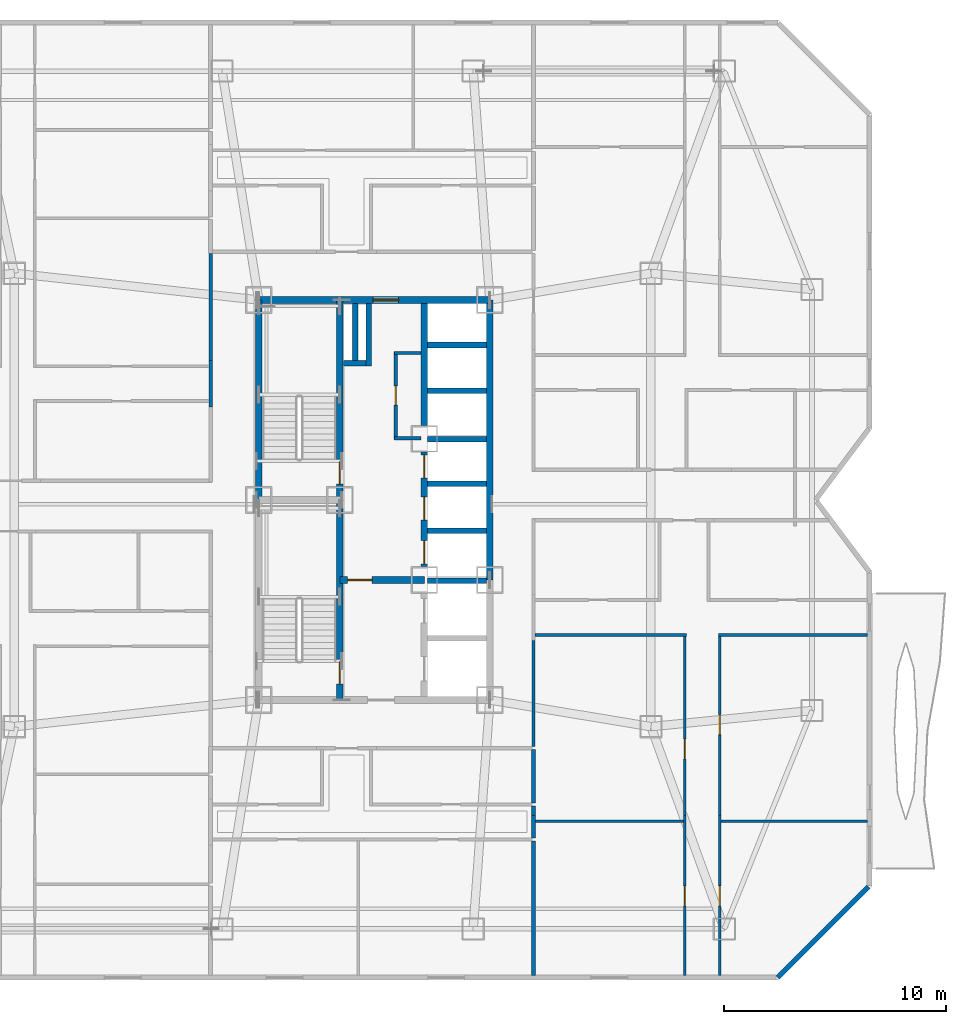
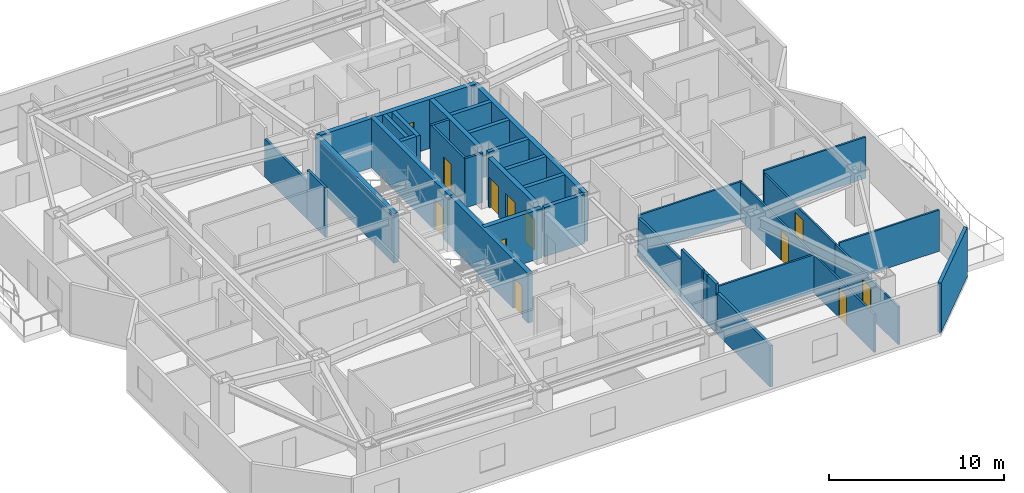
# One storey, part 9 of 15: 36 walls, 12 doors, 12 openings.
"""IFC4 building model written with IfcOpenShell, lengths in metres."""

from ifc_helpers import new_model, si_unit, direction, frame, frame_2d, origin, place, context, subcontext, project, spatial, rectangle, extrude, material, layer, layer_set, type_object, element, fill, save


model = new_model("IFC4")

# Units and contexts
model_context = context("Model", 3, precision=1e-05, world=origin(), true_north=direction((0.0, 1.0)))
body_context = subcontext(model_context, "Body", "Model", "MODEL_VIEW")
ifc_project = project(units=[si_unit("LENGTHUNIT", "METRE"), si_unit("AREAUNIT", "SQUARE_METRE"), si_unit("VOLUMEUNIT", "CUBIC_METRE"), si_unit("PLANEANGLEUNIT", "RADIAN"), si_unit("MASSUNIT", "GRAM", prefix="KILO")], contexts=[model_context])

# Site, building, storey
site_placement = place(None, origin())
site = spatial("IfcSite", under=ifc_project, at=site_placement, CompositionType="ELEMENT")
building_placement = place(site_placement, origin())
building = spatial("IfcBuilding", under=site, at=building_placement, Name="Khamvora Tower", CompositionType="ELEMENT")
storey_placement = place(building_placement, frame((0.0, 0.0, 101.89990234375)))
storey = spatial("IfcBuildingStorey", under=building, at=storey_placement, Name="L25", CompositionType="ELEMENT", Elevation=101.89990234375)

# Wall
ifc_material_1 = material(Name="Concrete C50/60", Category="concrete")
ifc_layer_1 = layer(ifc_material_1, 0.300048828125)
ifc_layer_set_1 = layer_set([ifc_layer_1], Name="Concrete C50/60")
wall_type_1 = type_object("IfcWallType", Name="WAL-CORE-300", PredefinedType="SHEAR", material=ifc_layer_set_1)
wall_1_placement = place(storey_placement, frame((29.0, 28.0, 0.0), z_axis=(0.0, 0.0, 1.0), x_axis=(0.0, 1.0, 0.0)))
element("IfcWall", 1, at=wall_1_placement, inside=storey, type_object=wall_type_1, Name="L25 central core west north wall", PredefinedType="SHEAR", context=body_context, shape_type="SweptSolid", body=[
    extrude(rectangle(XDim=9.0, YDim=0.300048828125, at=frame_2d((4.5, 0.0))), origin(), (0.0, 0.0, 1.0), 3.43017578125),
])

# Wall, opening, door
wall_2_placement = place(storey_placement, frame((29.0, 37.0, 0.0), z_axis=(0.0, 0.0, 1.0), x_axis=(1.0, 0.0, 0.0)))
wall_2 = element("IfcWall", 2, at=wall_2_placement, inside=storey, type_object=wall_type_1, Name="L25 central core north wall", PredefinedType="SHEAR", context=body_context, shape_type="SweptSolid", body=[
    extrude(rectangle(XDim=10.39990234375, YDim=0.300048828125, at=frame_2d((5.199951171875, 0.0))), origin(), (0.0, 0.0, 1.0), 3.43017578125),
])
opening_1_placement = place(wall_2_placement, frame((5.139892578125, 0.0, 0.0)))
opening_1 = element("IfcOpeningElement", 3, at=opening_1_placement, cuts=wall_2, Name="Opening D-SC1", PredefinedType="OPENING", context=body_context, shape_type="SweptSolid", body=[
    extrude(rectangle(XDim=1.14990234375, YDim=2.199951171875, at=frame_2d((0.574951171875, 1.10009765625))), frame((0.0, 0.159912109375, 0.0), z_axis=(0.0, -1.0, 0.0), x_axis=(1.0, 0.0, 0.0)), (0.0, 0.0, 1.0), 0.320068359375),
])
ifc_material_2 = material(Name="Powder-Coated Steel and Hardwood Leaf", Category="steel")
door_type_1 = type_object("IfcDoorType", Name="DOR-SCHL-1150", OperationType="NOTDEFINED", PredefinedType="DOOR", material=ifc_material_2)
door_1_placement = place(opening_1_placement, origin())
door_1 = element("IfcDoor", 4, at=door_1_placement, inside=storey, type_object=door_type_1, Name="L25 north core lobby to corridor fire door", OperationType="SINGLE_SWING_LEFT", OverallHeight=2.199951171875, OverallWidth=1.14990234375, PredefinedType="DOOR", context=body_context, shape_type="SweptSolid", body=[
    extrude(rectangle(XDim=1.14990234375, YDim=2.199951171875, at=frame_2d((0.574951171875, 1.10009765625))), frame((0.0, 0.02490234375, 0.0), z_axis=(0.0, -1.0, 0.0), x_axis=(1.0, 0.0, 0.0)), (0.0, 0.0, 1.0), 0.050048828125),
])
fill(opening_1, door_1)

# Wall
wall_3_placement = place(storey_placement, frame((39.39990234375, 24.39990234375, 0.0), z_axis=(0.0, 0.0, 1.0), x_axis=(0.0, 1.0, 0.0)))
element("IfcWall", 5, at=wall_3_placement, inside=storey, type_object=wall_type_1, Name="L25 central core east north wall", PredefinedType="SHEAR", context=body_context, shape_type="SweptSolid", body=[
    extrude(rectangle(XDim=12.60009765625, YDim=0.300048828125, at=frame_2d((6.300048828125, 0.0))), origin(), (0.0, 0.0, 1.0), 3.43017578125),
])

# Wall, opening, door
wall_4_placement = place(storey_placement, frame((32.64990234375, 19.0, 0.0), z_axis=(0.0, 0.0, 1.0), x_axis=(0.0, 1.0, 0.0)))
wall_4 = element("IfcWall", 6, at=wall_4_placement, inside=storey, type_object=wall_type_1, Name="L25 central core stair south spine wall", PredefinedType="SHEAR", context=body_context, shape_type="SweptSolid", body=[
    extrude(rectangle(XDim=9.0, YDim=0.300048828125, at=frame_2d((4.5, 0.0))), origin(), (0.0, 0.0, 1.0), 3.43017578125),
])
opening_2_placement = place(wall_4_placement, frame((0.719970703125, 0.0, 0.0)))
opening_2 = element("IfcOpeningElement", 7, at=opening_2_placement, cuts=wall_4, Name="Opening D-ST1", PredefinedType="OPENING", context=body_context, shape_type="SweptSolid", body=[
    extrude(rectangle(XDim=1.0, YDim=2.14990234375, at=frame_2d((0.5, 1.074951171875))), frame((0.0, 0.159912109375, 0.0), z_axis=(0.0, -1.0, 0.0), x_axis=(1.0, 0.0, 0.0)), (0.0, 0.0, 1.0), 0.320068359375),
])
door_type_2 = type_object("IfcDoorType", Name="DOR-STAIR-1000", OperationType="NOTDEFINED", PredefinedType="DOOR", material=ifc_material_2)
door_2_placement = place(opening_2_placement, origin())
door_2 = element("IfcDoor", 8, at=door_2_placement, inside=storey, type_object=door_type_2, Name="L25 exit stair ST-01 fire door", OperationType="SINGLE_SWING_RIGHT", OverallHeight=2.14990234375, OverallWidth=1.0, PredefinedType="DOOR", context=body_context, shape_type="SweptSolid", body=[
    extrude(rectangle(XDim=1.0, YDim=2.14990234375, at=frame_2d((0.5, 1.074951171875))), frame((0.0, 0.02490234375, 0.0), z_axis=(0.0, -1.0, 0.0), x_axis=(1.0, 0.0, 0.0)), (0.0, 0.0, 1.0), 0.050048828125),
])
fill(opening_2, door_2)

wall_5_placement = place(storey_placement, frame((32.64990234375, 28.0, 0.0), z_axis=(0.0, 0.0, 1.0), x_axis=(0.0, 1.0, 0.0)))
wall_5 = element("IfcWall", 9, at=wall_5_placement, inside=storey, type_object=wall_type_1, Name="L25 central core stair north spine wall", PredefinedType="SHEAR", context=body_context, shape_type="SweptSolid", body=[
    extrude(rectangle(XDim=9.0, YDim=0.300048828125, at=frame_2d((4.5, 0.0))), origin(), (0.0, 0.0, 1.0), 3.43017578125),
])
opening_3_placement = place(wall_5_placement, frame((0.719970703125, 0.0, 0.0)))
opening_3 = element("IfcOpeningElement", 10, at=opening_3_placement, cuts=wall_5, Name="Opening D-ST1", PredefinedType="OPENING", context=body_context, shape_type="SweptSolid", body=[
    extrude(rectangle(XDim=1.0, YDim=2.14990234375, at=frame_2d((0.5, 1.074951171875))), frame((0.0, 0.159912109375, 0.0), z_axis=(0.0, -1.0, 0.0), x_axis=(1.0, 0.0, 0.0)), (0.0, 0.0, 1.0), 0.320068359375),
])
door_3_placement = place(opening_3_placement, origin())
door_3 = element("IfcDoor", 11, at=door_3_placement, inside=storey, type_object=door_type_2, Name="L25 exit stair ST-02 fire door", OperationType="SINGLE_SWING_RIGHT", OverallHeight=2.14990234375, OverallWidth=1.0, PredefinedType="DOOR", context=body_context, shape_type="SweptSolid", body=[
    extrude(rectangle(XDim=1.0, YDim=2.14990234375, at=frame_2d((0.5, 1.074951171875))), frame((0.0, 0.02490234375, 0.0), z_axis=(0.0, -1.0, 0.0), x_axis=(1.0, 0.0, 0.0)), (0.0, 0.0, 1.0), 0.050048828125),
])
fill(opening_3, door_3)

wall_6_placement = place(storey_placement, frame((32.64990234375, 24.39990234375, 0.0), z_axis=(0.0, 0.0, 1.0), x_axis=(1.0, 0.0, 0.0)))
wall_6 = element("IfcWall", 12, at=wall_6_placement, inside=storey, type_object=wall_type_1, Name="L25 central core firefighting lobby north wall", PredefinedType="SHEAR", context=body_context, shape_type="SweptSolid", body=[
    extrude(rectangle(XDim=3.800048828125, YDim=0.300048828125, at=frame_2d((1.89990234375, 0.0))), origin(), (0.0, 0.0, 1.0), 3.43017578125),
])
opening_4_placement = place(wall_6_placement, frame((0.35009765625, 0.0, 0.0)))
opening_4 = element("IfcOpeningElement", 13, at=opening_4_placement, cuts=wall_6, Name="Opening D-FF1", PredefinedType="OPENING", context=body_context, shape_type="SweptSolid", body=[
    extrude(rectangle(XDim=1.10009765625, YDim=2.14990234375, at=frame_2d((0.550048828125, 1.074951171875))), frame((0.0, 0.159912109375, 0.0), z_axis=(0.0, -1.0, 0.0), x_axis=(1.0, 0.0, 0.0)), (0.0, 0.0, 1.0), 0.320068359375),
])
door_type_3 = type_object("IfcDoorType", Name="DOR-FFLOB-1100", OperationType="NOTDEFINED", PredefinedType="DOOR", material=ifc_material_2)
door_4_placement = place(opening_4_placement, origin())
door_4 = element("IfcDoor", 14, at=door_4_placement, inside=storey, type_object=door_type_3, Name="L25 firefighting lobby smoke-seal fire door", OperationType="SINGLE_SWING_LEFT", OverallHeight=2.14990234375, OverallWidth=1.10009765625, PredefinedType="DOOR", context=body_context, shape_type="SweptSolid", body=[
    extrude(rectangle(XDim=1.10009765625, YDim=2.14990234375, at=frame_2d((0.550048828125, 1.074951171875))), frame((0.0, 0.02490234375, 0.0), z_axis=(0.0, -1.0, 0.0), x_axis=(1.0, 0.0, 0.0)), (0.0, 0.0, 1.0), 0.050048828125),
])
fill(opening_4, door_4)

# Wall, openings, doors
wall_7_placement = place(storey_placement, frame((36.449951171875, 25.0, 0.0), z_axis=(0.0, 0.0, 1.0), x_axis=(0.0, 1.0, 0.0)))
wall_7 = element("IfcWall", 15, at=wall_7_placement, inside=storey, type_object=wall_type_1, Name="L25 central core lift bank central wall", PredefinedType="SHEAR", context=body_context, shape_type="SweptSolid", body=[
    extrude(rectangle(XDim=5.14990234375, YDim=0.300048828125, at=frame_2d((2.574951171875, 0.0))), origin(), (0.0, 0.0, 1.0), 3.43017578125),
])
opening_5_placement = place(wall_7_placement, frame((0.1201171875, 0.0, 0.0)))
opening_5 = element("IfcOpeningElement", 16, at=opening_5_placement, cuts=wall_7, Name="Opening LD-PL", PredefinedType="OPENING", context=body_context, shape_type="SweptSolid", body=[
    extrude(rectangle(XDim=1.050048828125, YDim=2.14990234375, at=frame_2d((0.52490234375, 1.074951171875))), frame((0.0, 0.159912109375, 0.0), z_axis=(0.0, -1.0, 0.0), x_axis=(1.0, 0.0, 0.0)), (0.0, 0.0, 1.0), 0.320068359375),
])
opening_6_placement = place(wall_7_placement, frame((2.094970703125, 0.0, 0.0)))
opening_6 = element("IfcOpeningElement", 17, at=opening_6_placement, cuts=wall_7, Name="Opening LD-PL", PredefinedType="OPENING", context=body_context, shape_type="SweptSolid", body=[
    extrude(rectangle(XDim=1.050048828125, YDim=2.14990234375, at=frame_2d((0.52490234375, 1.074951171875))), frame((0.0, 0.159912109375, 0.0), z_axis=(0.0, -1.0, 0.0), x_axis=(1.0, 0.0, 0.0)), (0.0, 0.0, 1.0), 0.320068359375),
])
opening_7_placement = place(wall_7_placement, frame((3.97998046875, 0.0, 0.0)))
opening_7 = element("IfcOpeningElement", 18, at=opening_7_placement, cuts=wall_7, Name="Opening LD-PL", PredefinedType="OPENING", context=body_context, shape_type="SweptSolid", body=[
    extrude(rectangle(XDim=1.050048828125, YDim=2.14990234375, at=frame_2d((0.52490234375, 1.074951171875))), frame((0.0, 0.159912109375, 0.0), z_axis=(0.0, -1.0, 0.0), x_axis=(1.0, 0.0, 0.0)), (0.0, 0.0, 1.0), 0.320068359375),
])
door_type_4 = type_object("IfcDoorType", Name="DOR-LIFT-1050", OperationType="SLIDING_TO_LEFT", PredefinedType="DOOR", material=ifc_material_2)
door_5_placement = place(opening_5_placement, origin())
door_5 = element("IfcDoor", 19, at=door_5_placement, inside=storey, type_object=door_type_4, Name="L25 lift landing sliding door PL-01", OperationType="SLIDING_TO_LEFT", OverallHeight=2.14990234375, OverallWidth=1.050048828125, PredefinedType="DOOR", context=body_context, shape_type="SweptSolid", body=[
    extrude(rectangle(XDim=1.050048828125, YDim=2.14990234375, at=frame_2d((0.52490234375, 1.074951171875))), frame((0.0, 0.02490234375, 0.0), z_axis=(0.0, -1.0, 0.0), x_axis=(1.0, 0.0, 0.0)), (0.0, 0.0, 1.0), 0.050048828125),
])
fill(opening_5, door_5)
door_6_placement = place(opening_6_placement, origin())
door_6 = element("IfcDoor", 20, at=door_6_placement, inside=storey, type_object=door_type_4, Name="L25 lift landing sliding door PL-02", OperationType="SLIDING_TO_LEFT", OverallHeight=2.14990234375, OverallWidth=1.050048828125, PredefinedType="DOOR", context=body_context, shape_type="SweptSolid", body=[
    extrude(rectangle(XDim=1.050048828125, YDim=2.14990234375, at=frame_2d((0.52490234375, 1.074951171875))), frame((0.0, 0.02490234375, 0.0), z_axis=(0.0, -1.0, 0.0), x_axis=(1.0, 0.0, 0.0)), (0.0, 0.0, 1.0), 0.050048828125),
])
fill(opening_6, door_6)
door_7_placement = place(opening_7_placement, origin())
door_7 = element("IfcDoor", 21, at=door_7_placement, inside=storey, type_object=door_type_4, Name="L25 lift landing sliding door PL-03", OperationType="SLIDING_TO_LEFT", OverallHeight=2.14990234375, OverallWidth=1.050048828125, PredefinedType="DOOR", context=body_context, shape_type="SweptSolid", body=[
    extrude(rectangle(XDim=1.050048828125, YDim=2.14990234375, at=frame_2d((0.52490234375, 1.074951171875))), frame((0.0, 0.02490234375, 0.0), z_axis=(0.0, -1.0, 0.0), x_axis=(1.0, 0.0, 0.0)), (0.0, 0.0, 1.0), 0.050048828125),
])
fill(opening_7, door_7)

# Walls
wall_8_placement = place(storey_placement, frame((36.449951171875, 31.35009765625, 0.0), z_axis=(0.0, 0.0, 1.0), x_axis=(0.0, 1.0, 0.0)))
element("IfcWall", 22, at=wall_8_placement, inside=storey, type_object=wall_type_1, Name="L25 central core lift bank north wall", PredefinedType="SHEAR", context=body_context, shape_type="SweptSolid", body=[
    extrude(rectangle(XDim=5.495849609375, YDim=0.300048828125, at=frame_2d((2.748046875, 0.0))), origin(), (0.0, 0.0, 1.0), 3.43017578125),
])
ifc_material_3 = material(Name="Fire-Rated Drywall and Steel Stud", Category="steel")
ifc_layer_2 = layer(ifc_material_3, 0.14990234375)
ifc_layer_set_2 = layer_set([ifc_layer_2], Name="Fire-Rated Drywall and Steel Stud")
wall_type_2 = type_object("IfcWallType", Name="WAL-CORR-150", PredefinedType="STANDARD", material=ifc_layer_set_2)
wall_9_placement = place(storey_placement, frame((36.305908203125, 34.614990234375, 0.0), z_axis=(0.0, 0.0, 1.0), x_axis=(-1.0, 0.0, 0.0)))
element("IfcWall", 23, at=wall_9_placement, inside=storey, type_object=wall_type_2, Name="L25 interior partition wall 001", PredefinedType="STANDARD", context=body_context, shape_type="SweptSolid", body=[
    extrude(rectangle(XDim=1.205810546875, YDim=0.14990234375, at=frame_2d((0.60302734375, 0.0))), origin(), (0.0, 0.0, 1.0), 3.43017578125),
])

# Wall, opening, door
wall_10_placement = place(storey_placement, frame((35.1650390625, 34.677978515625, 0.0), z_axis=(0.0, 0.0, 1.0), x_axis=(0.0, -1.0, 0.0)))
wall_10 = element("IfcWall", 24, at=wall_10_placement, inside=storey, type_object=wall_type_2, Name="L25 interior partition wall 002", PredefinedType="STANDARD", context=body_context, shape_type="SweptSolid", body=[
    extrude(rectangle(XDim=3.9580078125, YDim=0.14990234375, at=frame_2d((1.97900390625, 0.0))), origin(), (0.0, 0.0, 1.0), 3.43017578125),
])
opening_8_placement = place(wall_10_placement, frame((1.553955078125, 0.0, 0.0)))
opening_8 = element("IfcOpeningElement", 25, at=opening_8_placement, cuts=wall_10, Name="Opening D-WC1", PredefinedType="OPENING", context=body_context, shape_type="SweptSolid", body=[
    extrude(rectangle(XDim=0.85009765625, YDim=2.10009765625, at=frame_2d((0.425048828125, 1.050048828125))), frame((0.0, 0.0849609375, 0.0), z_axis=(0.0, -1.0, 0.0), x_axis=(1.0, 0.0, 0.0)), (0.0, 0.0, 1.0), 0.169921875),
])
door_type_5 = type_object("IfcDoorType", Name="DOR-WET-850", OperationType="NOTDEFINED", PredefinedType="DOOR", material=ifc_material_2)
door_8_placement = place(opening_8_placement, origin())
door_8 = element("IfcDoor", 26, at=door_8_placement, inside=storey, type_object=door_type_5, Name="L25 interior door PLL-CS1", OperationType="SINGLE_SWING_RIGHT", OverallHeight=2.10009765625, OverallWidth=0.85009765625, PredefinedType="DOOR", context=body_context, shape_type="SweptSolid", body=[
    extrude(rectangle(XDim=0.85009765625, YDim=2.10009765625, at=frame_2d((0.425048828125, 1.050048828125))), frame((0.0, 0.02490234375, 0.0), z_axis=(0.0, -1.0, 0.0), x_axis=(1.0, 0.0, 0.0)), (0.0, 0.0, 1.0), 0.050048828125),
])
fill(opening_8, door_8)

# Walls
wall_11_placement = place(storey_placement, frame((35.10205078125, 30.784912109375, 0.0), z_axis=(0.0, 0.0, 1.0), x_axis=(1.0, 0.0, 0.0)))
element("IfcWall", 27, at=wall_11_placement, inside=storey, type_object=wall_type_2, Name="L25 interior partition wall 003", PredefinedType="STANDARD", context=body_context, shape_type="SweptSolid", body=[
    extrude(rectangle(XDim=1.197998046875, YDim=0.14990234375, at=frame_2d((0.59912109375, 0.0))), origin(), (0.0, 0.0, 1.0), 3.43017578125),
])
wall_12_placement = place(storey_placement, frame((26.8349609375, 32.196044921875, 0.0), z_axis=(0.0, 0.0, 1.0), x_axis=(0.0, 1.0, 0.0)))
element("IfcWall", 28, at=wall_12_placement, inside=storey, type_object=wall_type_2, Name="L25 interior partition wall 012", PredefinedType="STANDARD", context=body_context, shape_type="SweptSolid", body=[
    extrude(rectangle(XDim=2.077880859375, YDim=0.14990234375, at=frame_2d((1.0390625, 0.0))), origin(), (0.0, 0.0, 1.0), 3.43017578125),
])
wall_13_placement = place(storey_placement, frame((26.8349609375, 34.27392578125, 0.0), z_axis=(0.0, 0.0, 1.0), x_axis=(0.0, 1.0, 0.0)))
element("IfcWall", 29, at=wall_13_placement, inside=storey, type_object=wall_type_2, Name="L25 interior partition wall 016", PredefinedType="STANDARD", context=body_context, shape_type="SweptSolid", body=[
    extrude(rectangle(XDim=4.826171875, YDim=0.14990234375, at=frame_2d((2.4130859375, 0.0))), origin(), (0.0, 0.0, 1.0), 2.647216796875),
])
wall_14_placement = place(storey_placement, frame((41.364990234375, 21.676025390625, 0.0), z_axis=(0.0, 0.0, 1.0), x_axis=(0.0, -1.0, 0.0)))
element("IfcWall", 30, at=wall_14_placement, inside=storey, type_object=wall_type_2, Name="L25 interior partition wall 028", PredefinedType="STANDARD", context=body_context, shape_type="SweptSolid", body=[
    extrude(rectangle(XDim=4.776123046875, YDim=0.14990234375, at=frame_2d((2.38818359375, 0.0))), origin(), (0.0, 0.0, 1.0), 2.647216796875),
])
ifc_material_4 = material(Name="Acoustic Double-Stud Fire Wall", Category="gypsum")
ifc_layer_3 = layer(ifc_material_4, 0.179931640625)
ifc_layer_set_3 = layer_set([ifc_layer_3], Name="Acoustic Double-Stud Fire Wall")
wall_type_3 = type_object("IfcWallType", Name="WAL-CORR-180", PredefinedType="STANDARD", material=ifc_layer_set_3)
wall_15_placement = place(storey_placement, frame((41.364990234375, 13.799072265625, 0.0), z_axis=(0.0, 0.0, 1.0), x_axis=(0.0, -1.0, 0.0)))
element("IfcWall", 31, at=wall_15_placement, inside=storey, type_object=wall_type_3, Name="L25 interior partition wall 082", PredefinedType="STANDARD", context=body_context, shape_type="SweptSolid", body=[
    extrude(rectangle(XDim=1.009033203125, YDim=0.179931640625, at=frame_2d((0.50439453125, 0.0))), origin(), (0.0, 0.0, 1.0), 3.43017578125),
])
wall_16_placement = place(storey_placement, frame((41.364990234375, 14.239990234375, 0.0), z_axis=(0.0, 0.0, 1.0), x_axis=(0.0, -1.0, 0.0)))
element("IfcWall", 32, at=wall_16_placement, inside=storey, type_object=wall_type_3, Name="L25 interior partition wall 083", PredefinedType="STANDARD", context=body_context, shape_type="SweptSolid", body=[
    extrude(rectangle(XDim=0.44091796875, YDim=0.179931640625, at=frame_2d((0.220458984375, 0.0))), origin(), (0.0, 0.0, 1.0), 3.43017578125),
])
wall_17_placement = place(storey_placement, frame((41.364990234375, 16.77001953125, 0.0), z_axis=(0.0, 0.0, 1.0), x_axis=(0.0, -1.0, 0.0)))
element("IfcWall", 33, at=wall_17_placement, inside=storey, type_object=wall_type_3, Name="L25 interior partition wall 084", PredefinedType="STANDARD", context=body_context, shape_type="SweptSolid", body=[
    extrude(rectangle(XDim=2.39990234375, YDim=0.179931640625, at=frame_2d((1.199951171875, 0.0))), origin(), (0.0, 0.0, 1.0), 3.43017578125),
])
wall_18_placement = place(storey_placement, frame((41.364990234375, 12.659912109375, 0.0), z_axis=(0.0, 0.0, 1.0), x_axis=(0.0, -1.0, 0.0)))
element("IfcWall", 34, at=wall_18_placement, inside=storey, type_object=wall_type_3, Name="L25 interior partition wall 086", PredefinedType="STANDARD", context=body_context, shape_type="SweptSolid", body=[
    extrude(rectangle(XDim=6.0478515625, YDim=0.179931640625, at=frame_2d((3.02392578125, 0.0))), origin(), (0.0, 0.0, 1.0), 2.8759765625),
])
ifc_material_5 = material(Name="Precast concrete C40/50", Category="concrete")
ifc_layer_4 = layer(ifc_material_5, 0.219970703125)
ifc_layer_set_4 = layer_set([ifc_layer_4], Name="Precast concrete C40/50")
wall_type_4 = type_object("IfcWallType", Name="WAL-EXT-220", PredefinedType="STANDARD", material=ifc_layer_set_4)
wall_19_placement = place(storey_placement, frame((56.43994140625, 10.595947265625, 0.0), z_axis=(0.0, 0.0, 1.0), x_axis=(-0.707106781187, -0.707106781187, 0.0)))
element("IfcWall", 35, at=wall_19_placement, inside=storey, type_object=wall_type_4, Name="L25 exterior facade wall 13.1", PredefinedType="STANDARD", context=body_context, shape_type="SweptSolid", body=[
    extrude(rectangle(XDim=5.7783203125, YDim=0.219970703125, at=frame_2d((2.88916015625, 0.0))), origin(), (0.0, 0.0, 1.0), 3.43017578125),
])

# Wall, opening, door
ifc_material_6 = material(Name="Gypsum Plasterboard Partition", Category="gypsum")
ifc_layer_5 = layer(ifc_material_6, 0.1201171875)
ifc_layer_set_5 = layer_set([ifc_layer_5], Name="Gypsum Plasterboard Partition")
wall_type_5 = type_object("IfcWallType", Name="WAL-PART-120", PredefinedType="PARTITIONING", material=ifc_layer_set_5)
wall_20_placement = place(storey_placement, frame((48.175048828125, 6.612060546875, 0.0), z_axis=(0.0, 0.0, 1.0), x_axis=(0.0, 1.0, 0.0)))
wall_20 = element("IfcWall", 36, at=wall_20_placement, inside=storey, type_object=wall_type_5, Name="L25 interior partition wall 102", PredefinedType="PARTITIONING", context=body_context, shape_type="SweptSolid", body=[
    extrude(rectangle(XDim=7.18701171875, YDim=0.1201171875, at=frame_2d((3.593505859375, 0.0))), origin(), (0.0, 0.0, 1.0), 2.647216796875),
])
opening_9_placement = place(wall_20_placement, frame((3.1220703125, 0.0, 0.0)))
opening_9 = element("IfcOpeningElement", 37, at=opening_9_placement, cuts=wall_20, Name="Opening D-RM1", PredefinedType="OPENING", context=body_context, shape_type="SweptSolid", body=[
    extrude(rectangle(XDim=0.89990234375, YDim=2.10009765625, at=frame_2d((0.449951171875, 1.050048828125))), frame((0.0, 0.070068359375, 0.0), z_axis=(0.0, -1.0, 0.0), x_axis=(1.0, 0.0, 0.0)), (0.0, 0.0, 1.0), 0.14013671875),
])
door_type_6 = type_object("IfcDoorType", Name="DOR-ROOM-900", OperationType="NOTDEFINED", PredefinedType="DOOR", material=ifc_material_2)
door_9_placement = place(opening_9_placement, origin())
door_9 = element("IfcDoor", 38, at=door_9_placement, inside=storey, type_object=door_type_6, Name="L25 interior door 25EAH-25EAR1", OperationType="SINGLE_SWING_LEFT", OverallHeight=2.10009765625, OverallWidth=0.89990234375, PredefinedType="DOOR", context=body_context, shape_type="SweptSolid", body=[
    extrude(rectangle(XDim=0.89990234375, YDim=2.10009765625, at=frame_2d((0.449951171875, 1.050048828125))), frame((0.0, 0.02490234375, 0.0), z_axis=(0.0, -1.0, 0.0), x_axis=(1.0, 0.0, 0.0)), (0.0, 0.0, 1.0), 0.050048828125),
])
fill(opening_9, door_9)

wall_21_placement = place(storey_placement, frame((48.175048828125, 13.799072265625, 0.0), z_axis=(0.0, 0.0, 1.0), x_axis=(0.0, 1.0, 0.0)))
wall_21 = element("IfcWall", 39, at=wall_21_placement, inside=storey, type_object=wall_type_5, Name="L25 interior partition wall 103", PredefinedType="PARTITIONING", context=body_context, shape_type="SweptSolid", body=[
    extrude(rectangle(XDim=8.19091796875, YDim=0.1201171875, at=frame_2d((4.095458984375, 0.0))), origin(), (0.0, 0.0, 1.0), 2.647216796875),
])
opening_10_placement = place(wall_21_placement, frame((2.5458984375, 0.0, 0.0)))
opening_10 = element("IfcOpeningElement", 40, at=opening_10_placement, cuts=wall_21, Name="Opening D-RM1", PredefinedType="OPENING", context=body_context, shape_type="SweptSolid", body=[
    extrude(rectangle(XDim=0.89990234375, YDim=2.10009765625, at=frame_2d((0.449951171875, 1.050048828125))), frame((0.0, 0.070068359375, 0.0), z_axis=(0.0, -1.0, 0.0), x_axis=(1.0, 0.0, 0.0)), (0.0, 0.0, 1.0), 0.14013671875),
])
door_10_placement = place(opening_10_placement, origin())
door_10 = element("IfcDoor", 41, at=door_10_placement, inside=storey, type_object=door_type_6, Name="L25 interior door 25EAH-25EAR2", OperationType="SINGLE_SWING_LEFT", OverallHeight=2.10009765625, OverallWidth=0.89990234375, PredefinedType="DOOR", context=body_context, shape_type="SweptSolid", body=[
    extrude(rectangle(XDim=0.89990234375, YDim=2.10009765625, at=frame_2d((0.449951171875, 1.050048828125))), frame((0.0, 0.02490234375, 0.0), z_axis=(0.0, -1.0, 0.0), x_axis=(1.0, 0.0, 0.0)), (0.0, 0.0, 1.0), 0.050048828125),
])
fill(opening_10, door_10)

# Wall
wall_22_placement = place(storey_placement, frame((48.239990234375, 21.925048828125, 0.0), z_axis=(0.0, 0.0, 1.0), x_axis=(-1.0, 0.0, 0.0)))
element("IfcWall", 42, at=wall_22_placement, inside=storey, type_object=wall_type_5, Name="L25 interior partition wall 104", PredefinedType="PARTITIONING", context=body_context, shape_type="SweptSolid", body=[
    extrude(rectangle(XDim=6.80810546875, YDim=0.1201171875, at=frame_2d((3.404052734375, 0.0))), origin(), (0.0, 0.0, 1.0), 2.647216796875),
])

# Wall, opening, door
wall_23_placement = place(storey_placement, frame((49.7451171875, 13.799072265625, 0.0), z_axis=(0.0, 0.0, 1.0), x_axis=(0.0, -1.0, 0.0)))
wall_23 = element("IfcWall", 43, at=wall_23_placement, inside=storey, type_object=wall_type_5, Name="L25 interior partition wall 105", PredefinedType="PARTITIONING", context=body_context, shape_type="SweptSolid", body=[
    extrude(rectangle(XDim=7.18701171875, YDim=0.1201171875, at=frame_2d((3.593505859375, 0.0))), origin(), (0.0, 0.0, 1.0), 2.647216796875),
])
opening_11_placement = place(wall_23_placement, frame((3.1640625, 0.0, 0.0)))
opening_11 = element("IfcOpeningElement", 44, at=opening_11_placement, cuts=wall_23, Name="Opening D-RM1", PredefinedType="OPENING", context=body_context, shape_type="SweptSolid", body=[
    extrude(rectangle(XDim=0.89990234375, YDim=2.10009765625, at=frame_2d((0.449951171875, 1.050048828125))), frame((0.0, 0.070068359375, 0.0), z_axis=(0.0, -1.0, 0.0), x_axis=(1.0, 0.0, 0.0)), (0.0, 0.0, 1.0), 0.14013671875),
])
door_11_placement = place(opening_11_placement, origin())
door_11 = element("IfcDoor", 45, at=door_11_placement, inside=storey, type_object=door_type_6, Name="L25 interior door 25EAH-25EAR3", OperationType="SINGLE_SWING_LEFT", OverallHeight=2.10009765625, OverallWidth=0.89990234375, PredefinedType="DOOR", context=body_context, shape_type="SweptSolid", body=[
    extrude(rectangle(XDim=0.89990234375, YDim=2.10009765625, at=frame_2d((0.449951171875, 1.050048828125))), frame((0.0, 0.02490234375, 0.0), z_axis=(0.0, -1.0, 0.0), x_axis=(1.0, 0.0, 0.0)), (0.0, 0.0, 1.0), 0.050048828125),
])
fill(opening_11, door_11)

# Wall
wall_24_placement = place(storey_placement, frame((56.387939453125, 21.925048828125, 0.0), z_axis=(0.0, 0.0, 1.0), x_axis=(-1.0, 0.0, 0.0)))
element("IfcWall", 46, at=wall_24_placement, inside=storey, type_object=wall_type_5, Name="L25 interior partition wall 106", PredefinedType="PARTITIONING", context=body_context, shape_type="SweptSolid", body=[
    extrude(rectangle(XDim=6.7080078125, YDim=0.1201171875, at=frame_2d((3.35400390625, 0.0))), origin(), (0.0, 0.0, 1.0), 2.8759765625),
])

# Wall, opening, door
wall_25_placement = place(storey_placement, frame((49.7451171875, 21.989990234375, 0.0), z_axis=(0.0, 0.0, 1.0), x_axis=(0.0, -1.0, 0.0)))
wall_25 = element("IfcWall", 47, at=wall_25_placement, inside=storey, type_object=wall_type_5, Name="L25 interior partition wall 107", PredefinedType="PARTITIONING", context=body_context, shape_type="SweptSolid", body=[
    extrude(rectangle(XDim=8.19091796875, YDim=0.1201171875, at=frame_2d((4.095458984375, 0.0))), origin(), (0.0, 0.0, 1.0), 2.647216796875),
])
opening_12_placement = place(wall_25_placement, frame((3.64599609375, 0.0, 0.0)))
opening_12 = element("IfcOpeningElement", 48, at=opening_12_placement, cuts=wall_25, Name="Opening D-RM1", PredefinedType="OPENING", context=body_context, shape_type="SweptSolid", body=[
    extrude(rectangle(XDim=0.89990234375, YDim=2.10009765625, at=frame_2d((0.449951171875, 1.050048828125))), frame((0.0, 0.070068359375, 0.0), z_axis=(0.0, -1.0, 0.0), x_axis=(1.0, 0.0, 0.0)), (0.0, 0.0, 1.0), 0.14013671875),
])
door_12_placement = place(opening_12_placement, origin())
door_12 = element("IfcDoor", 49, at=door_12_placement, inside=storey, type_object=door_type_6, Name="L25 interior door 25EAH-25EAR4", OperationType="SINGLE_SWING_LEFT", OverallHeight=2.10009765625, OverallWidth=0.89990234375, PredefinedType="DOOR", context=body_context, shape_type="SweptSolid", body=[
    extrude(rectangle(XDim=0.89990234375, YDim=2.10009765625, at=frame_2d((0.449951171875, 1.050048828125))), frame((0.0, 0.02490234375, 0.0), z_axis=(0.0, -1.0, 0.0), x_axis=(1.0, 0.0, 0.0)), (0.0, 0.0, 1.0), 0.050048828125),
])
fill(opening_12, door_12)

# Walls
wall_26_placement = place(storey_placement, frame((41.447021484375, 13.550048828125, 0.0), z_axis=(0.0, 0.0, 1.0), x_axis=(1.0, 0.0, 0.0)))
element("IfcWall", 50, at=wall_26_placement, inside=storey, type_object=wall_type_5, Name="L25 interior partition wall 108", PredefinedType="PARTITIONING", context=body_context, shape_type="SweptSolid", body=[
    extrude(rectangle(XDim=6.674072265625, YDim=0.1201171875, at=frame_2d((3.3369140625, 0.0))), origin(), (0.0, 0.0, 1.0), 2.647216796875),
])
wall_27_placement = place(storey_placement, frame((49.799072265625, 13.550048828125, 0.0), z_axis=(0.0, 0.0, 1.0), x_axis=(1.0, 0.0, 0.0)))
element("IfcWall", 51, at=wall_27_placement, inside=storey, type_object=wall_type_5, Name="L25 interior partition wall 109", PredefinedType="PARTITIONING", context=body_context, shape_type="SweptSolid", body=[
    extrude(rectangle(XDim=6.5888671875, YDim=0.1201171875, at=frame_2d((3.29443359375, 0.0))), origin(), (0.0, 0.0, 1.0), 2.8759765625),
])
ifc_material_7 = material(Name="Concrete C40/50", Category="concrete")
ifc_layer_6 = layer(ifc_material_7, 0.25)
ifc_layer_set_6 = layer_set([ifc_layer_6], Name="Concrete C40/50")
wall_type_6 = type_object("IfcWallType", Name="WAL-PODS-250", PredefinedType="SHEAR", material=ifc_layer_set_6)
for number, where, z_axis, x_axis, name in (
    (52, (36.60400390625, 24.375, 0.0), (0.0, 0.0, 1.0), (1.0, 0.0, 0.0), "L25 lift shaft divider wall FFL-02"),
    (53, (36.60400390625, 26.625, 0.0), (0.0, 0.0, 1.0), (1.0, 0.0, 0.0), "L25 lift shaft divider wall PL-01"),
    (54, (36.60400390625, 28.72509765625, 0.0), (0.0, 0.0, 1.0), (1.0, 0.0, 0.0), "L25 lift shaft divider wall PL-02"),
    (55, (36.60400390625, 30.72509765625, 0.0), (0.0, 0.0, 1.0), (1.0, 0.0, 0.0), "L25 lift shaft divider wall PL-03"),
    (56, (36.60400390625, 32.925048828125, 0.0), (0.0, 0.0, 1.0), (1.0, 0.0, 0.0), "L25 lift shaft divider wall PH-01"),
    (57, (36.60400390625, 34.97509765625, 0.0), (0.0, 0.0, 1.0), (1.0, 0.0, 0.0), "L25 lift shaft divider wall PH-02"),
):
    element("IfcWall", number, at=place(storey_placement, frame(where, z_axis=z_axis, x_axis=x_axis)), inside=storey, type_object=wall_type_6, Name=name, PredefinedType="SHEAR", context=body_context, shape_type="SweptSolid", body=[
        extrude(rectangle(XDim=2.64208984375, YDim=0.25, at=frame_2d((1.321044921875, 0.0))), origin(), (0.0, 0.0, 1.0), 3.43017578125),
    ])
wall_28_placement = place(storey_placement, frame((33.955078125, 34.02490234375, 0.0), z_axis=(0.0, 0.0, 1.0), x_axis=(0.0, 1.0, 0.0)))
element("IfcWall", 58, at=wall_28_placement, inside=storey, type_object=wall_type_6, Name="L25 vertical MEP riser shaft east enclosure wall", PredefinedType="SHEAR", context=body_context, shape_type="SweptSolid", body=[
    extrude(rectangle(XDim=2.821044921875, YDim=0.25, at=frame_2d((1.41064453125, 0.0))), origin(), (0.0, 0.0, 1.0), 3.43017578125),
])
wall_29_placement = place(storey_placement, frame((32.803955078125, 34.14990234375, 0.0), z_axis=(0.0, 0.0, 1.0), x_axis=(1.0, 0.0, 0.0)))
element("IfcWall", 59, at=wall_29_placement, inside=storey, type_object=wall_type_6, Name="L25 vertical MEP riser shaft south enclosure wall", PredefinedType="SHEAR", context=body_context, shape_type="SweptSolid", body=[
    extrude(rectangle(XDim=1.02197265625, YDim=0.25, at=frame_2d((0.510986328125, 0.0))), origin(), (0.0, 0.0, 1.0), 3.43017578125),
])
wall_30_placement = place(storey_placement, frame((33.340087890625, 34.279052734375, 0.0), z_axis=(0.0, 0.0, 1.0), x_axis=(0.0, 1.0, 0.0)))
element("IfcWall", 60, at=wall_30_placement, inside=storey, type_object=wall_type_6, Name="L25 vertical MEP riser shaft divider enclosure wall", PredefinedType="SHEAR", context=body_context, shape_type="SweptSolid", body=[
    extrude(rectangle(XDim=2.56689453125, YDim=0.25, at=frame_2d((1.283447265625, 0.0))), origin(), (0.0, 0.0, 1.0), 3.43017578125),
])

save(model, "model.ifc")
